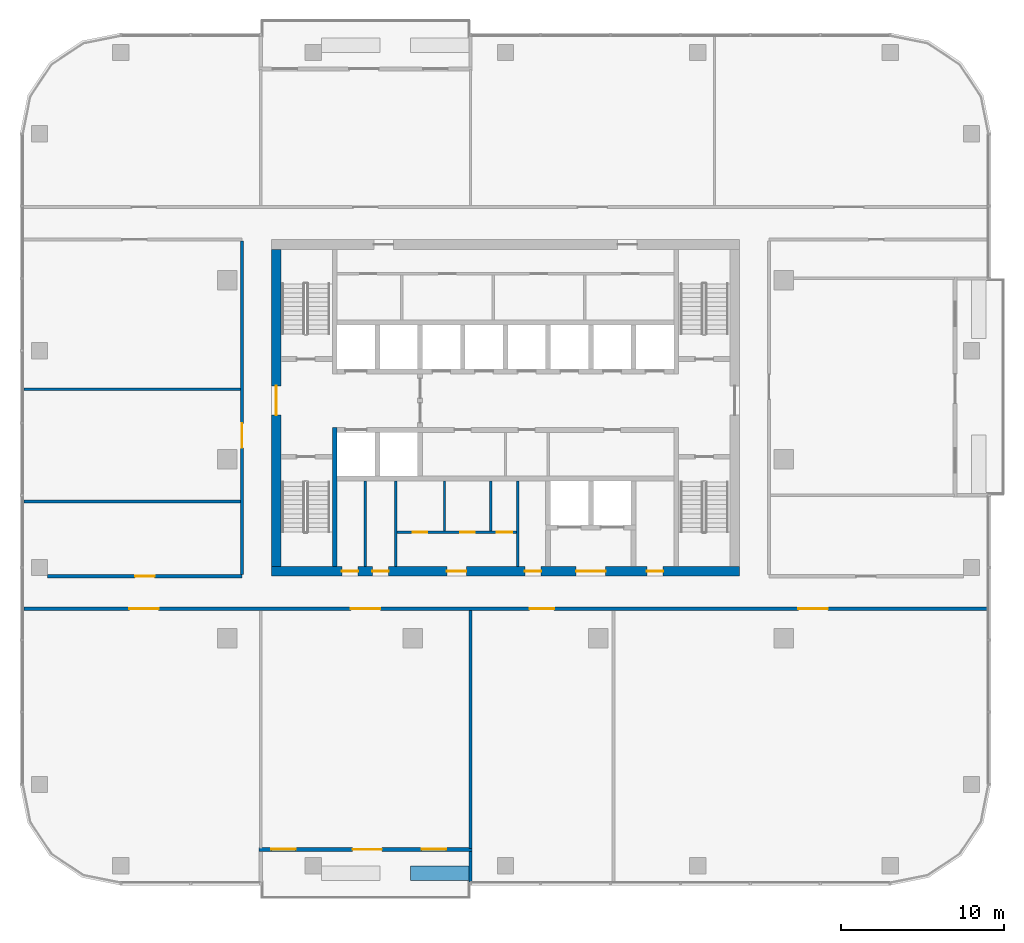
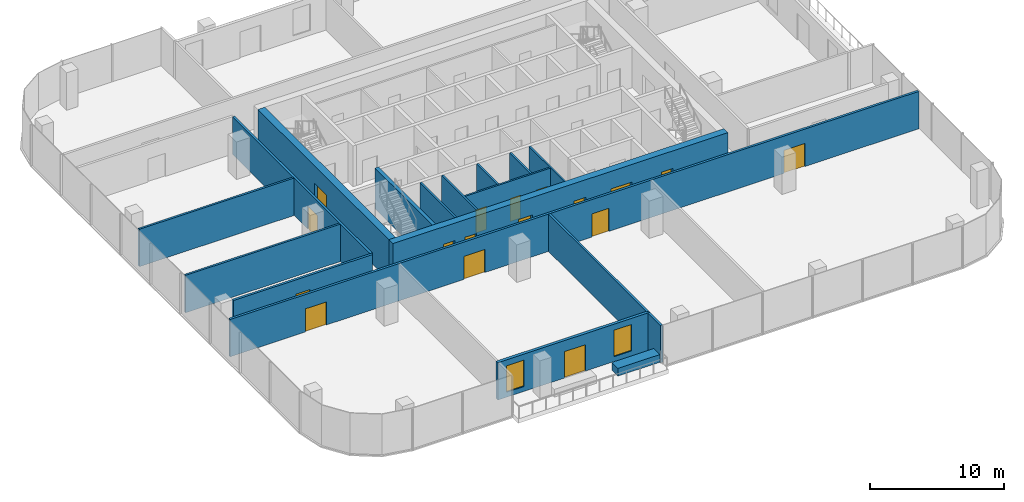
# One storey, part 7 of 13: 18 walls, 17 doors, 2 windows, 19 openings.
"""IFC4 building model written with IfcOpenShell, lengths in metres."""

from ifc_helpers import new_model, si_unit, direction, frame, frame_2d, origin, place, context, subcontext, project, spatial, rectangle, extrude, material, layer, layer_set, type_object, element, fill, save


model = new_model("IFC4")

# Units and contexts
model_context = context("Model", 3, precision=1e-05, world=origin(), true_north=direction((0.0, 1.0)))
body_context = subcontext(model_context, "Body", "Model", "MODEL_VIEW")
ifc_project = project(units=[si_unit("LENGTHUNIT", "METRE"), si_unit("AREAUNIT", "SQUARE_METRE"), si_unit("VOLUMEUNIT", "CUBIC_METRE"), si_unit("PLANEANGLEUNIT", "RADIAN"), si_unit("MASSUNIT", "GRAM", prefix="KILO")], contexts=[model_context])

# Site, building, storey
site_placement = place(None, origin())
site = spatial("IfcSite", under=ifc_project, at=site_placement, CompositionType="ELEMENT")
building_placement = place(site_placement, origin())
building = spatial("IfcBuilding", under=site, at=building_placement, Name="Mopane Tessera Tower", CompositionType="ELEMENT")
storey_placement = place(building_placement, frame((0.0, 0.0, 311.39990234375)))
storey = spatial("IfcBuildingStorey", under=building, at=storey_placement, Name="L68", CompositionType="ELEMENT", Elevation=311.39990234375)

# Walls
ifc_material_1 = material(Name="Fire-rated gypsum board partition")
ifc_layer_1 = layer(ifc_material_1, 0.14990234375)
ifc_layer_set_1 = layer_set([ifc_layer_1], Name="Fire-rated gypsum board partition")
wall_type_1 = type_object("IfcWallType", Name="Core room partition 150 mm", PredefinedType="PARTITIONING", material=ifc_layer_set_1)
for number, where, z_axis, x_axis, name in (
    (1, (-8.625, -6.60009765625, 0.0), (0.0, 0.0, 1.0), (0.0, 1.0, 0.0), "L68 Room partition"),
    (2, (-6.75, -6.60009765625, 0.0), (0.0, 0.0, 1.0), (0.0, 1.0, 0.0), "L68 Room partition"),
):
    element("IfcWall", number, at=place(storey_placement, frame(where, z_axis=z_axis, x_axis=x_axis)), inside=storey, type_object=wall_type_1, Name=name, PredefinedType="PARTITIONING", context=body_context, shape_type="SweptSolid", body=[
        extrude(rectangle(XDim=5.25, YDim=0.14990234375, at=frame_2d((2.625, 0.0))), origin(), (0.0, 0.0, 1.0), 3.7001953125),
    ])

# Wall, openings, doors
wall_1_placement = place(storey_placement, frame((-6.675048828125, -4.5, 0.0), z_axis=(0.0, 0.0, 1.0), x_axis=(1.0, 0.0, 0.0)))
wall_1 = element("IfcWall", 3, at=wall_1_placement, inside=storey, type_object=wall_type_1, Name="L68 WC partition", PredefinedType="PARTITIONING", context=body_context, shape_type="SweptSolid", body=[
    extrude(rectangle(XDim=7.35009765625, YDim=0.14990234375, at=frame_2d((3.675048828125, 0.0))), origin(), (0.0, 0.0, 1.0), 3.7001953125),
])
opening_1_placement = place(wall_1_placement, frame((0.97509765625, 0.0, 0.0)))
opening_1 = element("IfcOpeningElement", 4, at=opening_1_placement, cuts=wall_1, Name="Opening WD1", PredefinedType="OPENING", context=body_context, shape_type="SweptSolid", body=[
    extrude(rectangle(XDim=0.89990234375, YDim=2.10009765625, at=frame_2d((0.449951171875, 1.050048828125))), frame((0.0, 0.0869140625, 0.0), z_axis=(0.0, -1.0, 0.0), x_axis=(1.0, 0.0, 0.0)), (0.0, 0.0, 1.0), 0.173828125),
])
opening_2_placement = place(wall_1_placement, frame((3.89990234375, 0.0, 0.0)))
opening_2 = element("IfcOpeningElement", 5, at=opening_2_placement, cuts=wall_1, Name="Opening WD1", PredefinedType="OPENING", context=body_context, shape_type="SweptSolid", body=[
    extrude(rectangle(XDim=0.89990234375, YDim=2.10009765625, at=frame_2d((0.449951171875, 1.050048828125))), frame((0.0, 0.0869140625, 0.0), z_axis=(0.0, -1.0, 0.0), x_axis=(1.0, 0.0, 0.0)), (0.0, 0.0, 1.0), 0.173828125),
])
opening_3_placement = place(wall_1_placement, frame((6.125, 0.0, 0.0)))
opening_3 = element("IfcOpeningElement", 6, at=opening_3_placement, cuts=wall_1, Name="Opening WD2", PredefinedType="OPENING", context=body_context, shape_type="SweptSolid", body=[
    extrude(rectangle(XDim=0.949951171875, YDim=2.10009765625, at=frame_2d((0.47509765625, 1.050048828125))), frame((0.0, 0.0869140625, 0.0), z_axis=(0.0, -1.0, 0.0), x_axis=(1.0, 0.0, 0.0)), (0.0, 0.0, 1.0), 0.173828125),
])
ifc_material_2 = material(Name="Timber door", Category="wood")
door_type_1 = type_object("IfcDoorType", Name="Accessible WC door 950 x 2100", OperationType="SINGLE_SWING_LEFT", PredefinedType="DOOR", material=ifc_material_2)
door_1_placement = place(opening_3_placement, origin())
door_1 = element("IfcDoor", 7, at=door_1_placement, inside=storey, type_object=door_type_1, Name="L68 Accessible WC door", OperationType="SINGLE_SWING_LEFT", OverallHeight=2.10009765625, OverallWidth=0.949951171875, PredefinedType="DOOR", context=body_context, shape_type="SweptSolid", body=[
    extrude(rectangle(XDim=0.949951171875, YDim=2.10009765625, at=frame_2d((0.47509765625, 1.050048828125))), frame((0.0, 0.02490234375, 0.0), z_axis=(0.0, -1.0, 0.0), x_axis=(1.0, 0.0, 0.0)), (0.0, 0.0, 1.0), 0.050048828125),
])
fill(opening_3, door_1)
ifc_material_3 = material(Name="Timber door", Category="wood")
door_type_2 = type_object("IfcDoorType", Name="WC cubicle door 900 x 2100", OperationType="SINGLE_SWING_LEFT", PredefinedType="DOOR", material=ifc_material_3)
door_2_placement = place(opening_1_placement, origin())
door_2 = element("IfcDoor", 8, at=door_2_placement, inside=storey, type_object=door_type_2, Name="L68 Men's WC door", OperationType="SINGLE_SWING_LEFT", OverallHeight=2.10009765625, OverallWidth=0.89990234375, PredefinedType="DOOR", context=body_context, shape_type="SweptSolid", body=[
    extrude(rectangle(XDim=0.89990234375, YDim=2.10009765625, at=frame_2d((0.449951171875, 1.050048828125))), frame((0.0, 0.02490234375, 0.0), z_axis=(0.0, -1.0, 0.0), x_axis=(1.0, 0.0, 0.0)), (0.0, 0.0, 1.0), 0.050048828125),
])
fill(opening_1, door_2)
door_3_placement = place(opening_2_placement, origin())
door_3 = element("IfcDoor", 9, at=door_3_placement, inside=storey, type_object=door_type_2, Name="L68 Women's WC door", OperationType="SINGLE_SWING_LEFT", OverallHeight=2.10009765625, OverallWidth=0.89990234375, PredefinedType="DOOR", context=body_context, shape_type="SweptSolid", body=[
    extrude(rectangle(XDim=0.89990234375, YDim=2.10009765625, at=frame_2d((0.449951171875, 1.050048828125))), frame((0.0, 0.02490234375, 0.0), z_axis=(0.0, -1.0, 0.0), x_axis=(1.0, 0.0, 0.0)), (0.0, 0.0, 1.0), 0.050048828125),
])
fill(opening_2, door_3)

# Walls
for number, where, z_axis, x_axis, name in (
    (10, (-3.75, -4.425048828125, 0.0), (0.0, 0.0, 1.0), (0.0, 1.0, 0.0), "L68 WC partition"),
    (11, (-0.89990234375, -4.425048828125, 0.0), (0.0, 0.0, 1.0), (0.0, 1.0, 0.0), "L68 WC partition"),
):
    element("IfcWall", number, at=place(storey_placement, frame(where, z_axis=z_axis, x_axis=x_axis)), inside=storey, type_object=wall_type_1, Name=name, PredefinedType="PARTITIONING", context=body_context, shape_type="SweptSolid", body=[
        extrude(rectangle(XDim=3.074951171875, YDim=0.14990234375, at=frame_2d((1.53759765625, 0.0))), origin(), (0.0, 0.0, 1.0), 3.7001953125),
    ])
wall_2_placement = place(storey_placement, frame((0.75, -6.60009765625, 0.0), z_axis=(0.0, 0.0, 1.0), x_axis=(0.0, 1.0, 0.0)))
element("IfcWall", 12, at=wall_2_placement, inside=storey, type_object=wall_type_1, Name="L68 Room partition", PredefinedType="PARTITIONING", context=body_context, shape_type="SweptSolid", body=[
    extrude(rectangle(XDim=5.25, YDim=0.14990234375, at=frame_2d((2.625, 0.0))), origin(), (0.0, 0.0, 1.0), 3.7001953125),
])

# Wall, openings, doors
ifc_material_4 = material(Name="Concrete C70/85", Category="concrete")
ifc_layer_2 = layer(ifc_material_4, 0.60009765625)
ifc_layer_set_2 = layer_set([ifc_layer_2], Name="Concrete C70/85")
wall_type_2 = type_object("IfcWallType", Name="Core shear wall 600 mm", PredefinedType="SHEAR", material=ifc_layer_set_2)
wall_3_placement = place(storey_placement, frame((-14.39990234375, -6.89990234375, 0.0), z_axis=(0.0, 0.0, 1.0), x_axis=(1.0, 0.0, 0.0)))
wall_3 = element("IfcWall", 13, at=wall_3_placement, inside=storey, type_object=wall_type_2, Name="L68 Core wall south", PredefinedType="SHEAR", context=body_context, shape_type="SweptSolid", body=[
    extrude(rectangle(XDim=28.7998046875, YDim=0.60009765625, at=frame_2d((14.39990234375, 0.0))), origin(), (0.0, 0.0, 1.0), 3.7001953125),
])
opening_4_placement = place(wall_3_placement, frame((4.33740234375, 0.0, 0.0)))
opening_4 = element("IfcOpeningElement", 14, at=opening_4_placement, cuts=wall_3, Name="Opening RD1", PredefinedType="OPENING", context=body_context, shape_type="SweptSolid", body=[
    extrude(rectangle(XDim=1.0, YDim=2.10009765625, at=frame_2d((0.5, 1.050048828125))), frame((0.0, 0.31201171875, 0.0), z_axis=(0.0, -1.0, 0.0), x_axis=(1.0, 0.0, 0.0)), (0.0, 0.0, 1.0), 0.6240234375),
])
opening_5_placement = place(wall_3_placement, frame((6.21240234375, 0.0, 0.0)))
opening_5 = element("IfcOpeningElement", 15, at=opening_5_placement, cuts=wall_3, Name="Opening RD1", PredefinedType="OPENING", context=body_context, shape_type="SweptSolid", body=[
    extrude(rectangle(XDim=1.0, YDim=2.10009765625, at=frame_2d((0.5, 1.050048828125))), frame((0.0, 0.31201171875, 0.0), z_axis=(0.0, -1.0, 0.0), x_axis=(1.0, 0.0, 0.0)), (0.0, 0.0, 1.0), 0.6240234375),
])
opening_6_placement = place(wall_3_placement, frame((10.800048828125, 0.0, 0.0)))
opening_6 = element("IfcOpeningElement", 16, at=opening_6_placement, cuts=wall_3, Name="Opening WD3", PredefinedType="OPENING", context=body_context, shape_type="SweptSolid", body=[
    extrude(rectangle(XDim=1.199951171875, YDim=2.10009765625, at=frame_2d((0.60009765625, 1.050048828125))), frame((0.0, 0.31201171875, 0.0), z_axis=(0.0, -1.0, 0.0), x_axis=(1.0, 0.0, 0.0)), (0.0, 0.0, 1.0), 0.6240234375),
])
opening_7_placement = place(wall_3_placement, frame((15.58740234375, 0.0, 0.0)))
opening_7 = element("IfcOpeningElement", 17, at=opening_7_placement, cuts=wall_3, Name="Opening RD1", PredefinedType="OPENING", context=body_context, shape_type="SweptSolid", body=[
    extrude(rectangle(XDim=1.0, YDim=2.10009765625, at=frame_2d((0.5, 1.050048828125))), frame((0.0, 0.31201171875, 0.0), z_axis=(0.0, -1.0, 0.0), x_axis=(1.0, 0.0, 0.0)), (0.0, 0.0, 1.0), 0.6240234375),
])
opening_8_placement = place(wall_3_placement, frame((18.75, 0.0, 0.0)))
opening_8 = element("IfcOpeningElement", 18, at=opening_8_placement, cuts=wall_3, Name="Opening SD2", PredefinedType="OPENING", context=body_context, shape_type="SweptSolid", body=[
    extrude(rectangle(XDim=1.800048828125, YDim=2.10009765625, at=frame_2d((0.89990234375, 1.050048828125))), frame((0.0, 0.31201171875, 0.0), z_axis=(0.0, -1.0, 0.0), x_axis=(1.0, 0.0, 0.0)), (0.0, 0.0, 1.0), 0.6240234375),
])
opening_9_placement = place(wall_3_placement, frame((23.08740234375, 0.0, 0.0)))
opening_9 = element("IfcOpeningElement", 19, at=opening_9_placement, cuts=wall_3, Name="Opening RD1", PredefinedType="OPENING", context=body_context, shape_type="SweptSolid", body=[
    extrude(rectangle(XDim=1.0, YDim=2.10009765625, at=frame_2d((0.5, 1.050048828125))), frame((0.0, 0.31201171875, 0.0), z_axis=(0.0, -1.0, 0.0), x_axis=(1.0, 0.0, 0.0)), (0.0, 0.0, 1.0), 0.6240234375),
])
ifc_material_5 = material(Name="Steel fire door", Category="steel")
door_type_3 = type_object("IfcDoorType", Name="Core entrance double door 1800 x 2100", OperationType="DOUBLE_DOOR_SINGLE_SWING", PredefinedType="DOOR", material=ifc_material_5)
door_4_placement = place(opening_8_placement, origin())
door_4 = element("IfcDoor", 20, at=door_4_placement, inside=storey, type_object=door_type_3, Name="L68 Service lobby door", OperationType="DOUBLE_DOOR_SINGLE_SWING", OverallHeight=2.10009765625, OverallWidth=1.800048828125, PredefinedType="DOOR", context=body_context, shape_type="SweptSolid", body=[
    extrude(rectangle(XDim=1.800048828125, YDim=2.10009765625, at=frame_2d((0.89990234375, 1.050048828125))), frame((0.0, 0.02490234375, 0.0), z_axis=(0.0, -1.0, 0.0), x_axis=(1.0, 0.0, 0.0)), (0.0, 0.0, 1.0), 0.050048828125),
])
fill(opening_8, door_4)
ifc_material_6 = material(Name="Timber door", Category="wood")
door_type_4 = type_object("IfcDoorType", Name="Core room door 1000 x 2100", OperationType="SINGLE_SWING_LEFT", PredefinedType="DOOR", material=ifc_material_6)
door_5_placement = place(opening_4_placement, origin())
door_5 = element("IfcDoor", 21, at=door_5_placement, inside=storey, type_object=door_type_4, Name="L68 Room door", OperationType="SINGLE_SWING_LEFT", OverallHeight=2.10009765625, OverallWidth=1.0, PredefinedType="DOOR", context=body_context, shape_type="SweptSolid", body=[
    extrude(rectangle(XDim=1.0, YDim=2.10009765625, at=frame_2d((0.5, 1.050048828125))), frame((0.0, 0.02490234375, 0.0), z_axis=(0.0, -1.0, 0.0), x_axis=(1.0, 0.0, 0.0)), (0.0, 0.0, 1.0), 0.050048828125),
])
fill(opening_4, door_5)
door_6_placement = place(opening_5_placement, origin())
door_6 = element("IfcDoor", 22, at=door_6_placement, inside=storey, type_object=door_type_4, Name="L68 Room door", OperationType="SINGLE_SWING_LEFT", OverallHeight=2.10009765625, OverallWidth=1.0, PredefinedType="DOOR", context=body_context, shape_type="SweptSolid", body=[
    extrude(rectangle(XDim=1.0, YDim=2.10009765625, at=frame_2d((0.5, 1.050048828125))), frame((0.0, 0.02490234375, 0.0), z_axis=(0.0, -1.0, 0.0), x_axis=(1.0, 0.0, 0.0)), (0.0, 0.0, 1.0), 0.050048828125),
])
fill(opening_5, door_6)
door_7_placement = place(opening_7_placement, origin())
door_7 = element("IfcDoor", 23, at=door_7_placement, inside=storey, type_object=door_type_4, Name="L68 Room door", OperationType="SINGLE_SWING_LEFT", OverallHeight=2.10009765625, OverallWidth=1.0, PredefinedType="DOOR", context=body_context, shape_type="SweptSolid", body=[
    extrude(rectangle(XDim=1.0, YDim=2.10009765625, at=frame_2d((0.5, 1.050048828125))), frame((0.0, 0.02490234375, 0.0), z_axis=(0.0, -1.0, 0.0), x_axis=(1.0, 0.0, 0.0)), (0.0, 0.0, 1.0), 0.050048828125),
])
fill(opening_7, door_7)
door_8_placement = place(opening_9_placement, origin())
door_8 = element("IfcDoor", 24, at=door_8_placement, inside=storey, type_object=door_type_4, Name="L68 Room door", OperationType="SINGLE_SWING_LEFT", OverallHeight=2.10009765625, OverallWidth=1.0, PredefinedType="DOOR", context=body_context, shape_type="SweptSolid", body=[
    extrude(rectangle(XDim=1.0, YDim=2.10009765625, at=frame_2d((0.5, 1.050048828125))), frame((0.0, 0.02490234375, 0.0), z_axis=(0.0, -1.0, 0.0), x_axis=(1.0, 0.0, 0.0)), (0.0, 0.0, 1.0), 0.050048828125),
])
fill(opening_9, door_8)
ifc_material_7 = material(Name="Timber door", Category="wood")
door_type_5 = type_object("IfcDoorType", Name="WC lobby door 1200 x 2100", OperationType="SINGLE_SWING_LEFT", PredefinedType="DOOR", material=ifc_material_7)
door_9_placement = place(opening_6_placement, origin())
door_9 = element("IfcDoor", 25, at=door_9_placement, inside=storey, type_object=door_type_5, Name="L68 WC lobby door", OperationType="SINGLE_SWING_LEFT", OverallHeight=2.10009765625, OverallWidth=1.199951171875, PredefinedType="DOOR", context=body_context, shape_type="SweptSolid", body=[
    extrude(rectangle(XDim=1.199951171875, YDim=2.10009765625, at=frame_2d((0.60009765625, 1.050048828125))), frame((0.0, 0.02490234375, 0.0), z_axis=(0.0, -1.0, 0.0), x_axis=(1.0, 0.0, 0.0)), (0.0, 0.0, 1.0), 0.050048828125),
])
fill(opening_6, door_9)

# Wall, opening, door
wall_4_placement = place(storey_placement, frame((-14.10009765625, -6.60009765625, 0.0), z_axis=(0.0, 0.0, 1.0), x_axis=(0.0, 1.0, 0.0)))
wall_4 = element("IfcWall", 26, at=wall_4_placement, inside=storey, type_object=wall_type_2, Name="L68 Core wall west", PredefinedType="SHEAR", context=body_context, shape_type="SweptSolid", body=[
    extrude(rectangle(XDim=19.5, YDim=0.60009765625, at=frame_2d((9.75, 0.0))), origin(), (0.0, 0.0, 1.0), 3.7001953125),
])
opening_10_placement = place(wall_4_placement, frame((9.300048828125, 0.0, 0.0)))
opening_10 = element("IfcOpeningElement", 27, at=opening_10_placement, cuts=wall_4, Name="Opening SD2", PredefinedType="OPENING", context=body_context, shape_type="SweptSolid", body=[
    extrude(rectangle(XDim=1.800048828125, YDim=2.10009765625, at=frame_2d((0.89990234375, 1.050048828125))), frame((0.0, 0.31201171875, 0.0), z_axis=(0.0, -1.0, 0.0), x_axis=(1.0, 0.0, 0.0)), (0.0, 0.0, 1.0), 0.6240234375),
])
door_10_placement = place(opening_10_placement, origin())
door_10 = element("IfcDoor", 28, at=door_10_placement, inside=storey, type_object=door_type_3, Name="L68 Core entrance door west", OperationType="DOUBLE_DOOR_SINGLE_SWING", OverallHeight=2.10009765625, OverallWidth=1.800048828125, PredefinedType="DOOR", context=body_context, shape_type="SweptSolid", body=[
    extrude(rectangle(XDim=1.800048828125, YDim=2.10009765625, at=frame_2d((0.89990234375, 1.050048828125))), frame((0.0, 0.02490234375, 0.0), z_axis=(0.0, -1.0, 0.0), x_axis=(1.0, 0.0, 0.0)), (0.0, 0.0, 1.0), 0.050048828125),
])
fill(opening_10, door_10)

# Walls
ifc_material_8 = material(Name="Concrete C60/75", Category="concrete")
ifc_layer_3 = layer(ifc_material_8, 0.300048828125)
ifc_layer_set_3 = layer_set([ifc_layer_3], Name="Concrete C60/75")
wall_type_3 = type_object("IfcWallType", Name="Core spine wall 300 mm", PredefinedType="SHEAR", material=ifc_layer_set_3)
wall_5_placement = place(storey_placement, frame((-10.5, -6.60009765625, 0.0), z_axis=(0.0, 0.0, 1.0), x_axis=(0.0, 1.0, 0.0)))
element("IfcWall", 29, at=wall_5_placement, inside=storey, type_object=wall_type_3, Name="L68 Core spine wall", PredefinedType="SHEAR", context=body_context, shape_type="SweptSolid", body=[
    extrude(rectangle(XDim=8.550048828125, YDim=0.300048828125, at=frame_2d((4.27490234375, 0.0))), origin(), (0.0, 0.0, 1.0), 3.7001953125),
])
ifc_material_9 = material(Name="Gypsum board on staggered steel studs, double layer each face, acoustic mineral wool infill", Category="steel")
ifc_layer_4 = layer(ifc_material_9, 0.175048828125)
ifc_layer_set_4 = layer_set([ifc_layer_4], Name="Gypsum board on staggered steel studs, double layer each face, acoustic mineral wool infill")
wall_type_4 = type_object("IfcWallType", Name="Gypsum board acoustic partition 175, rated EI 60", PredefinedType="PARTITIONING", material=ifc_layer_set_4)
for number, where, z_axis, x_axis, name in (
    (30, (-29.60009765625, -2.60009765625, 0.0), (0.0, 0.0, 1.0), (1.0, 0.0, 0.0), "Partition L68:003"),
    (31, (-29.60009765625, 4.300048828125, 0.0), (0.0, 0.0, 1.0), (1.0, 0.0, 0.0), "Partition L68:005"),
):
    element("IfcWall", number, at=place(storey_placement, frame(where, z_axis=z_axis, x_axis=x_axis)), inside=storey, type_object=wall_type_4, Name=name, PredefinedType="PARTITIONING", context=body_context, shape_type="SweptSolid", body=[
        extrude(rectangle(XDim=13.300048828125, YDim=0.175048828125, at=frame_2d((6.64990234375, 0.0))), origin(), (0.0, 0.0, 1.0), 3.400146484375),
    ])
wall_6_placement = place(storey_placement, frame((-2.14990234375, -23.949951171875, 0.0), z_axis=(0.0, 0.0, 1.0), x_axis=(0.0, 1.0, 0.0)))
element("IfcWall", 32, at=wall_6_placement, inside=storey, type_object=wall_type_4, Name="Partition L68:014", PredefinedType="PARTITIONING", context=body_context, shape_type="SweptSolid", body=[
    extrude(rectangle(XDim=14.64990234375, YDim=0.175048828125, at=frame_2d((7.324951171875, 0.0))), origin(), (0.0, 0.0, 1.0), 3.400146484375),
])

# Wall, openings, doors
ifc_material_10 = material(Name="Gypsum board on steel studs, two layers each face, mineral wool infill", Category="steel")
ifc_layer_5 = layer(ifc_material_10, 0.199951171875)
ifc_layer_set_5 = layer_set([ifc_layer_5], Name="Gypsum board on steel studs, two layers each face, mineral wool infill")
wall_type_5 = type_object("IfcWallType", Name="Gypsum board corridor wall 200, rated EI 60", PredefinedType="PARTITIONING", material=ifc_layer_set_5)
wall_7_placement = place(storey_placement, frame((-29.60009765625, -9.199951171875, 0.0), z_axis=(0.0, 0.0, 1.0), x_axis=(1.0, 0.0, 0.0)))
wall_7 = element("IfcWall", 33, at=wall_7_placement, inside=storey, type_object=wall_type_5, Name="Partition L68:000", PredefinedType="PARTITIONING", context=body_context, shape_type="SweptSolid", body=[
    extrude(rectangle(XDim=59.2001953125, YDim=0.199951171875, at=frame_2d((29.60009765625, 0.0))), origin(), (0.0, 0.0, 1.0), 3.400146484375),
])
opening_11_placement = place(wall_7_placement, frame((47.614990234375, 0.0, 0.0)))
opening_11 = element("IfcOpeningElement", 34, at=opening_11_placement, cuts=wall_7, Name="Opening L68-02", PredefinedType="OPENING", context=body_context, shape_type="SweptSolid", body=[
    extrude(rectangle(XDim=1.800048828125, YDim=2.10009765625, at=frame_2d((0.89990234375, 1.050048828125))), frame((0.0, 0.112060546875, 0.0), z_axis=(0.0, -1.0, 0.0), x_axis=(1.0, 0.0, 0.0)), (0.0, 0.0, 1.0), 0.223876953125),
])
opening_12_placement = place(wall_7_placement, frame((20.10009765625, 0.0, 0.0)))
opening_12 = element("IfcOpeningElement", 35, at=opening_12_placement, cuts=wall_7, Name="Opening L68-03", PredefinedType="OPENING", context=body_context, shape_type="SweptSolid", body=[
    extrude(rectangle(XDim=1.800048828125, YDim=2.10009765625, at=frame_2d((0.89990234375, 1.050048828125))), frame((0.0, 0.112060546875, 0.0), z_axis=(0.0, -1.0, 0.0), x_axis=(1.0, 0.0, 0.0)), (0.0, 0.0, 1.0), 0.223876953125),
])
opening_13_placement = place(wall_7_placement, frame((6.47509765625, 0.0, 0.0)))
opening_13 = element("IfcOpeningElement", 36, at=opening_13_placement, cuts=wall_7, Name="Opening L68-09", PredefinedType="OPENING", context=body_context, shape_type="SweptSolid", body=[
    extrude(rectangle(XDim=1.800048828125, YDim=2.10009765625, at=frame_2d((0.89990234375, 1.050048828125))), frame((0.0, 0.112060546875, 0.0), z_axis=(0.0, -1.0, 0.0), x_axis=(1.0, 0.0, 0.0)), (0.0, 0.0, 1.0), 0.223876953125),
])
opening_14_placement = place(wall_7_placement, frame((31.090087890625, 0.0, 0.0)))
opening_14 = element("IfcOpeningElement", 37, at=opening_14_placement, cuts=wall_7, Name="Opening L68-13", PredefinedType="OPENING", context=body_context, shape_type="SweptSolid", body=[
    extrude(rectangle(XDim=1.5, YDim=2.10009765625, at=frame_2d((0.75, 1.050048828125))), frame((0.0, 0.112060546875, 0.0), z_axis=(0.0, -1.0, 0.0), x_axis=(1.0, 0.0, 0.0)), (0.0, 0.0, 1.0), 0.223876953125),
])
ifc_material_11 = material(Name="Timber veneered steel-framed fire door", Category="steel")
door_type_6 = type_object("IfcDoorType", Name="Fire door pair FD60 1500 x 2100", OperationType="DOUBLE_DOOR_SINGLE_SWING", PredefinedType="DOOR", material=ifc_material_11)
door_11_placement = place(opening_14_placement, origin())
door_11 = element("IfcDoor", 38, at=door_11_placement, inside=storey, type_object=door_type_6, Name="Door L68-13", ObjectType="D17A", OperationType="DOUBLE_DOOR_SINGLE_SWING", OverallHeight=2.10009765625, OverallWidth=1.5, PredefinedType="DOOR", context=body_context, shape_type="SweptSolid", body=[
    extrude(rectangle(XDim=1.5, YDim=2.10009765625, at=frame_2d((0.75, 1.050048828125))), frame((0.0, 0.02490234375, 0.0), z_axis=(0.0, -1.0, 0.0), x_axis=(1.0, 0.0, 0.0)), (0.0, 0.0, 1.0), 0.050048828125),
])
fill(opening_14, door_11)
ifc_material_12 = material(Name="Timber veneered steel-framed fire door", Category="steel")
door_type_7 = type_object("IfcDoorType", Name="Fire door pair FD60 1800 x 2100", OperationType="DOUBLE_DOOR_SINGLE_SWING", PredefinedType="DOOR", material=ifc_material_12)
door_12_placement = place(opening_11_placement, origin())
door_12 = element("IfcDoor", 39, at=door_12_placement, inside=storey, type_object=door_type_7, Name="Door L68-02", ObjectType="D20A", OperationType="DOUBLE_DOOR_SINGLE_SWING", OverallHeight=2.10009765625, OverallWidth=1.800048828125, PredefinedType="DOOR", context=body_context, shape_type="SweptSolid", body=[
    extrude(rectangle(XDim=1.800048828125, YDim=2.10009765625, at=frame_2d((0.89990234375, 1.050048828125))), frame((0.0, 0.02490234375, 0.0), z_axis=(0.0, -1.0, 0.0), x_axis=(1.0, 0.0, 0.0)), (0.0, 0.0, 1.0), 0.050048828125),
])
fill(opening_11, door_12)
door_13_placement = place(opening_12_placement, origin())
door_13 = element("IfcDoor", 40, at=door_13_placement, inside=storey, type_object=door_type_7, Name="Door L68-03", ObjectType="D20A", OperationType="DOUBLE_DOOR_SINGLE_SWING", OverallHeight=2.10009765625, OverallWidth=1.800048828125, PredefinedType="DOOR", context=body_context, shape_type="SweptSolid", body=[
    extrude(rectangle(XDim=1.800048828125, YDim=2.10009765625, at=frame_2d((0.89990234375, 1.050048828125))), frame((0.0, 0.02490234375, 0.0), z_axis=(0.0, -1.0, 0.0), x_axis=(1.0, 0.0, 0.0)), (0.0, 0.0, 1.0), 0.050048828125),
])
fill(opening_12, door_13)
door_14_placement = place(opening_13_placement, origin())
door_14 = element("IfcDoor", 41, at=door_14_placement, inside=storey, type_object=door_type_7, Name="Door L68-09", ObjectType="D20A", OperationType="DOUBLE_DOOR_SINGLE_SWING", OverallHeight=2.10009765625, OverallWidth=1.800048828125, PredefinedType="DOOR", context=body_context, shape_type="SweptSolid", body=[
    extrude(rectangle(XDim=1.800048828125, YDim=2.10009765625, at=frame_2d((0.89990234375, 1.050048828125))), frame((0.0, 0.02490234375, 0.0), z_axis=(0.0, -1.0, 0.0), x_axis=(1.0, 0.0, 0.0)), (0.0, 0.0, 1.0), 0.050048828125),
])
fill(opening_13, door_14)

# Wall, opening, door
wall_8_placement = place(storey_placement, frame((-28.14990234375, -7.199951171875, 0.0), z_axis=(0.0, 0.0, 1.0), x_axis=(1.0, 0.0, 0.0)))
wall_8 = element("IfcWall", 42, at=wall_8_placement, inside=storey, type_object=wall_type_5, Name="Partition L68:001", PredefinedType="PARTITIONING", context=body_context, shape_type="SweptSolid", body=[
    extrude(rectangle(XDim=11.949951171875, YDim=0.199951171875, at=frame_2d((5.97509765625, 0.0))), origin(), (0.0, 0.0, 1.0), 3.400146484375),
])
opening_15_placement = place(wall_8_placement, frame((5.375, 0.0, 0.0)))
opening_15 = element("IfcOpeningElement", 43, at=opening_15_placement, cuts=wall_8, Name="Opening L68-08", PredefinedType="OPENING", context=body_context, shape_type="SweptSolid", body=[
    extrude(rectangle(XDim=1.199951171875, YDim=2.10009765625, at=frame_2d((0.60009765625, 1.050048828125))), frame((0.0, 0.112060546875, 0.0), z_axis=(0.0, -1.0, 0.0), x_axis=(1.0, 0.0, 0.0)), (0.0, 0.0, 1.0), 0.223876953125),
])
ifc_material_13 = material(Name="Timber veneered steel-framed fire door", Category="steel")
door_type_8 = type_object("IfcDoorType", Name="Fire door FD60 1200 x 2100", OperationType="SINGLE_SWING_LEFT", PredefinedType="DOOR", material=ifc_material_13)
door_15_placement = place(opening_15_placement, origin())
door_15 = element("IfcDoor", 44, at=door_15_placement, inside=storey, type_object=door_type_8, Name="Door L68-08", ObjectType="D15A", OperationType="SINGLE_SWING_LEFT", OverallHeight=2.10009765625, OverallWidth=1.199951171875, PredefinedType="DOOR", context=body_context, shape_type="SweptSolid", body=[
    extrude(rectangle(XDim=1.199951171875, YDim=2.10009765625, at=frame_2d((0.60009765625, 1.050048828125))), frame((0.0, 0.02490234375, 0.0), z_axis=(0.0, -1.0, 0.0), x_axis=(1.0, 0.0, 0.0)), (0.0, 0.0, 1.0), 0.050048828125),
])
fill(opening_15, door_15)

wall_9_placement = place(storey_placement, frame((-16.199951171875, -7.10009765625, 0.0), z_axis=(0.0, 0.0, 1.0), x_axis=(0.0, 1.0, 0.0)))
wall_9 = element("IfcWall", 45, at=wall_9_placement, inside=storey, type_object=wall_type_5, Name="Partition L68:010", PredefinedType="PARTITIONING", context=body_context, shape_type="SweptSolid", body=[
    extrude(rectangle(XDim=20.5, YDim=0.199951171875, at=frame_2d((10.25, 0.0))), origin(), (0.0, 0.0, 1.0), 3.400146484375),
])
opening_16_placement = place(wall_9_placement, frame((7.800048828125, 0.0, 0.0)))
opening_16 = element("IfcOpeningElement", 46, at=opening_16_placement, cuts=wall_9, Name="Opening L68-11", PredefinedType="OPENING", context=body_context, shape_type="SweptSolid", body=[
    extrude(rectangle(XDim=1.5, YDim=2.10009765625, at=frame_2d((0.75, 1.050048828125))), frame((0.0, 0.112060546875, 0.0), z_axis=(0.0, -1.0, 0.0), x_axis=(1.0, 0.0, 0.0)), (0.0, 0.0, 1.0), 0.223876953125),
])
door_16_placement = place(opening_16_placement, origin())
door_16 = element("IfcDoor", 47, at=door_16_placement, inside=storey, type_object=door_type_6, Name="Door L68-11", ObjectType="D17A", OperationType="DOUBLE_DOOR_SINGLE_SWING", OverallHeight=2.10009765625, OverallWidth=1.5, PredefinedType="DOOR", context=body_context, shape_type="SweptSolid", body=[
    extrude(rectangle(XDim=1.5, YDim=2.10009765625, at=frame_2d((0.75, 1.050048828125))), frame((0.0, 0.02490234375, 0.0), z_axis=(0.0, -1.0, 0.0), x_axis=(1.0, 0.0, 0.0)), (0.0, 0.0, 1.0), 0.050048828125),
])
fill(opening_16, door_16)

# Walls
ifc_material_14 = material(Name="Reinforced concrete C32/40 with waterproofing", Category="concrete")
ifc_layer_6 = layer(ifc_material_14, 0.89990234375)
ifc_layer_set_6 = layer_set([ifc_layer_6], Name="Reinforced concrete C32/40 with waterproofing")
wall_type_6 = type_object("IfcWallType", Name="Planter trough 3600 x 900", PredefinedType="STANDARD", material=ifc_layer_set_6)
wall_10_placement = place(storey_placement, frame((-5.85009765625, -25.449951171875, 0.0), z_axis=(0.0, 0.0, 1.0), x_axis=(1.0, 0.0, 0.0)))
element("IfcWall", 48, at=wall_10_placement, inside=storey, type_object=wall_type_6, Name="e:nw:L68:N3:pl1", PredefinedType="STANDARD", context=body_context, shape_type="SweptSolid", body=[
    extrude(rectangle(XDim=3.60009765625, YDim=0.89990234375, at=frame_2d((1.800048828125, 0.0))), origin(), (0.0, 0.0, 1.0), 0.7001953125),
])
ifc_material_15 = material(Name="Blockwork with glazed tile facing", Category="masonry")
ifc_layer_7 = layer(ifc_material_15, 0.199951171875)
ifc_layer_set_7 = layer_set([ifc_layer_7], Name="Blockwork with glazed tile facing")
wall_type_7 = type_object("IfcWallType", Name="Terrace cheek wall 200", PredefinedType="STANDARD", material=ifc_layer_set_7)
wall_11_placement = place(storey_placement, frame((-2.14990234375, -26.0, 0.0), z_axis=(0.0, 0.0, 1.0), x_axis=(0.0, 1.0, 0.0)))
element("IfcWall", 49, at=wall_11_placement, inside=storey, type_object=wall_type_7, Name="e:nw:L68:N3:cheekb", PredefinedType="STANDARD", context=body_context, shape_type="SweptSolid", body=[
    extrude(rectangle(XDim=1.875, YDim=0.199951171875, at=frame_2d((0.9375, 0.0))), origin(), (0.0, 0.0, 1.0), 3.400146484375),
])

# Wall, openings, windows, door
ifc_material_16 = material(Name="Blockwork with ultramarine glazed tile facing", Category="masonry")
ifc_layer_8 = layer(ifc_material_16, 0.25)
ifc_layer_set_8 = layer_set([ifc_layer_8], Name="Blockwork with ultramarine glazed tile facing")
wall_type_8 = type_object("IfcWallType", Name="Tile-clad external wall 250, ultramarine", PredefinedType="STANDARD", material=ifc_layer_set_8)
wall_12_placement = place(storey_placement, frame((-15.14990234375, -24.0, 0.0), z_axis=(0.0, 0.0, 1.0), x_axis=(1.0, 0.0, 0.0)))
wall_12 = element("IfcWall", 50, at=wall_12_placement, inside=storey, type_object=wall_type_8, Name="e:nw:L68:N3:back", PredefinedType="STANDARD", context=body_context, shape_type="SweptSolid", body=[
    extrude(rectangle(XDim=13.099853515625, YDim=0.25, at=frame_2d((6.5498046875, 0.0))), origin(), (0.0, 0.0, 1.0), 3.400146484375),
])
opening_17_placement = place(wall_12_placement, frame((0.75, 0.0, 0.449951171875)))
opening_17 = element("IfcOpeningElement", 51, at=opening_17_placement, cuts=wall_12, Name="Opening NW683A", PredefinedType="OPENING", context=body_context, shape_type="SweptSolid", body=[
    extrude(rectangle(XDim=1.5, YDim=2.39990234375, at=frame_2d((0.75, 1.199951171875))), frame((0.0, 0.136962890625, 0.0), z_axis=(0.0, -1.0, 0.0), x_axis=(1.0, 0.0, 0.0)), (0.0, 0.0, 1.0), 0.27392578125),
])
opening_18_placement = place(wall_12_placement, frame((5.75, 0.0, 0.0)))
opening_18 = element("IfcOpeningElement", 52, at=opening_18_placement, cuts=wall_12, Name="Opening ND683", PredefinedType="OPENING", context=body_context, shape_type="SweptSolid", body=[
    extrude(rectangle(XDim=1.800048828125, YDim=2.39990234375, at=frame_2d((0.89990234375, 1.199951171875))), frame((0.0, 0.136962890625, 0.0), z_axis=(0.0, -1.0, 0.0), x_axis=(1.0, 0.0, 0.0)), (0.0, 0.0, 1.0), 0.27392578125),
])
opening_19_placement = place(wall_12_placement, frame((10.0, 0.0, 0.449951171875)))
opening_19 = element("IfcOpeningElement", 53, at=opening_19_placement, cuts=wall_12, Name="Opening NW683B", PredefinedType="OPENING", context=body_context, shape_type="SweptSolid", body=[
    extrude(rectangle(XDim=1.5, YDim=2.39990234375, at=frame_2d((0.75, 1.199951171875))), frame((0.0, 0.136962890625, 0.0), z_axis=(0.0, -1.0, 0.0), x_axis=(1.0, 0.0, 0.0)), (0.0, 0.0, 1.0), 0.27392578125),
])
ifc_material_17 = material(Name="Clear laminated glass", Category="glass")
window_type = type_object("IfcWindowType", Name="Fixed window 1500 x 2400", PartitioningType="SINGLE_PANEL", PredefinedType="WINDOW", material=ifc_material_17)
window_1_placement = place(opening_17_placement, origin())
window_1 = element("IfcWindow", 54, at=window_1_placement, inside=storey, type_object=window_type, Name="e:nw:L68:N3:win0", OverallHeight=2.39990234375, OverallWidth=1.5, PartitioningType="SINGLE_PANEL", PredefinedType="WINDOW", context=body_context, shape_type="SweptSolid", body=[
    extrude(rectangle(XDim=1.5, YDim=2.39990234375, at=frame_2d((0.75, 1.199951171875))), frame((0.0, 0.030029296875, 0.0), z_axis=(0.0, -1.0, 0.0), x_axis=(1.0, 0.0, 0.0)), (0.0, 0.0, 1.0), 0.06005859375),
])
fill(opening_17, window_1)
window_2_placement = place(opening_19_placement, origin())
window_2 = element("IfcWindow", 55, at=window_2_placement, inside=storey, type_object=window_type, Name="e:nw:L68:N3:win2", OverallHeight=2.39990234375, OverallWidth=1.5, PartitioningType="SINGLE_PANEL", PredefinedType="WINDOW", context=body_context, shape_type="SweptSolid", body=[
    extrude(rectangle(XDim=1.5, YDim=2.39990234375, at=frame_2d((0.75, 1.199951171875))), frame((0.0, 0.030029296875, 0.0), z_axis=(0.0, -1.0, 0.0), x_axis=(1.0, 0.0, 0.0)), (0.0, 0.0, 1.0), 0.06005859375),
])
fill(opening_19, window_2)
ifc_material_18 = material(Name="Aluminium and clear glass", Category="aluminium")
door_type_9 = type_object("IfcDoorType", Name="Terrace double door 1800 x 2400", OperationType="DOUBLE_DOOR_SINGLE_SWING", PredefinedType="DOOR", material=ifc_material_18)
door_17_placement = place(opening_18_placement, origin())
door_17 = element("IfcDoor", 56, at=door_17_placement, inside=storey, type_object=door_type_9, Name="e:nw:L68:N3:door", ObjectType="D1", OperationType="DOUBLE_DOOR_SINGLE_SWING", OverallHeight=2.39990234375, OverallWidth=1.800048828125, PredefinedType="DOOR", context=body_context, shape_type="SweptSolid", body=[
    extrude(rectangle(XDim=1.800048828125, YDim=2.39990234375, at=frame_2d((0.89990234375, 1.199951171875))), frame((0.0, 0.02490234375, 0.0), z_axis=(0.0, -1.0, 0.0), x_axis=(1.0, 0.0, 0.0)), (0.0, 0.0, 1.0), 0.050048828125),
])
fill(opening_18, door_17)

save(model, "model.ifc")
